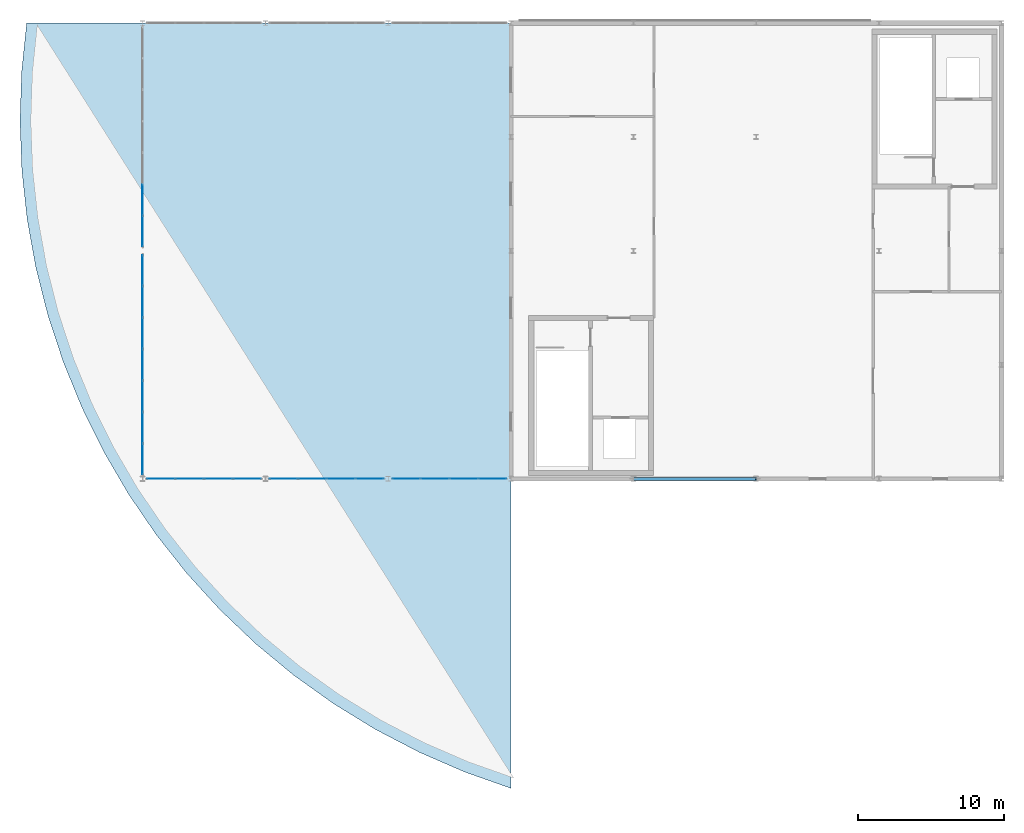
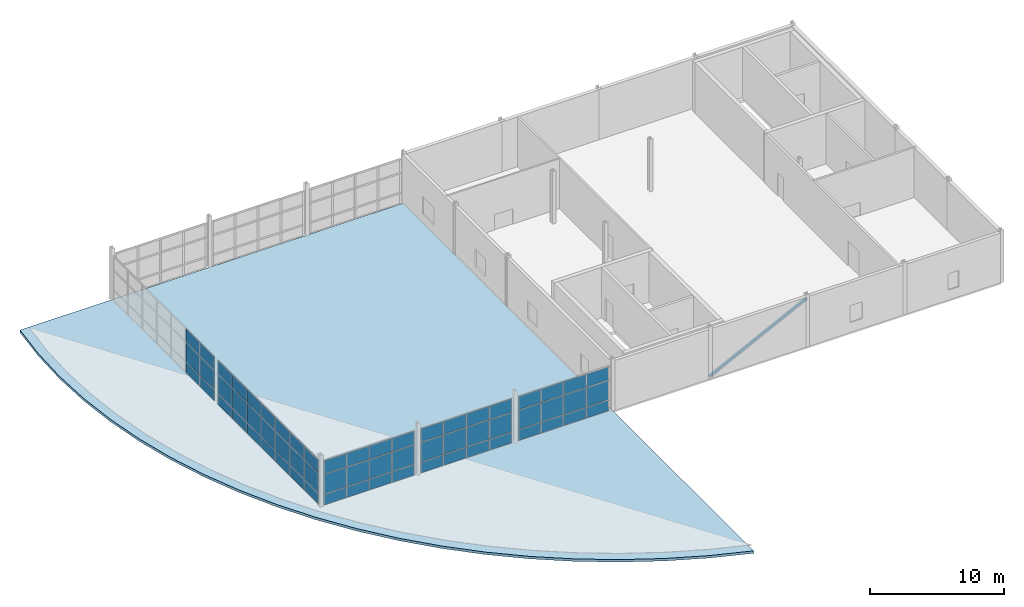
# One storey, part 10 of 14: 63 plates, 1 member, 1 slab, 5 elements without a shape of their own.
"""IFC4 building model written with IfcOpenShell, lengths in metres."""

from ifc_helpers import new_model, si_unit, direction, frame, origin, origin_2d, place, context, subcontext, project, spatial, polyline, rectangle, hollow_rectangle, outline, extrude, material, layer, layer_set, material_profile, profile_set, type_object, element, aggregate, save


model = new_model("IFC4")

# Units and contexts
model_context = context("Model", 3, precision=1e-05, world=origin(), true_north=direction((0.0, 1.0)))
body_context = subcontext(model_context, "Body", "Model", "MODEL_VIEW")
ifc_project = project(units=[si_unit("LENGTHUNIT", "METRE"), si_unit("AREAUNIT", "SQUARE_METRE"), si_unit("VOLUMEUNIT", "CUBIC_METRE"), si_unit("PLANEANGLEUNIT", "RADIAN"), si_unit("MASSUNIT", "GRAM", prefix="KILO")], contexts=[model_context])

# Site, building, storey
site_placement = place(None, origin())
site = spatial("IfcSite", under=ifc_project, at=site_placement, CompositionType="ELEMENT")
building_placement = place(site_placement, origin())
building = spatial("IfcBuilding", under=site, at=building_placement, Name="Selat Folded Stagehouse", CompositionType="ELEMENT")
storey_placement = place(building_placement, frame((0.0, 0.0, 27.60009765625)))
storey = spatial("IfcBuildingStorey", under=building, at=storey_placement, Name="L06", CompositionType="ELEMENT", Elevation=27.60009765625)

# Member
ifc_material_1 = material(Name="Steel S355", Category="steel")
ifc_material_profile = material_profile(ifc_material_1, hollow_rectangle(XDim=0.199951171875, YDim=0.199951171875, WallThickness=0.010009765625, at=origin_2d()), Name="SHS 200x200x10.0")
ifc_profile_set = profile_set([ifc_material_profile], Name="Steel S355")
member_type = type_object("IfcMemberType", Name="MEM-BRACE-SHS200", PredefinedType="BRACE", material=ifc_profile_set)
member_placement = place(storey_placement, frame((42.0, 23.39990234375, 0.14990234375), z_axis=(0.894427191, 0.0, 0.4472135955), x_axis=(0.0, 1.0, 0.0)))
element("IfcMember", 1, at=member_placement, inside=storey, type_object=member_type, Name="L06 vertical frame brace 07", PredefinedType="BRACE", context=body_context, shape_type="SweptSolid", body=[
    extrude(hollow_rectangle(XDim=0.199951171875, YDim=0.199951171875, WallThickness=0.010009765625, at=origin_2d()), origin(), (0.0, 0.0, 1.0), 9.391357421875),
])

# Curtain wall, plates
ifc_material_2 = material(Name="Aluminium 6063-T6", Category="aluminium")
ifc_layer_1 = layer(ifc_material_2, 0.175048828125)
ifc_layer_set_1 = layer_set([ifc_layer_1], Name="Aluminium 6063-T6")
curtain_wall_type = type_object("IfcCurtainWallType", Name="CW-BRG-GLAZ", PredefinedType="NOTDEFINED", material=ifc_layer_set_1)
curtain_wall_1_placement = place(storey_placement, origin())
curtain_wall_1 = element("IfcCurtainWall", 2, at=curtain_wall_1_placement, inside=storey, type_object=curtain_wall_type, Name="L06 curtain wall CW-BRG-23", PredefinedType="NOTDEFINED")
ifc_material_3 = material(Name="Clear laminated double glazing", Category="glass")
ifc_layer_2 = layer(ifc_material_3, 0.028076171875)
ifc_layer_set_2 = layer_set([ifc_layer_2], Name="Clear laminated double glazing")
plate_type = type_object("IfcPlateType", Name="CWP-GLZ-DGU28", PredefinedType="CURTAIN_PANEL", material=ifc_layer_set_2)
plate_1_placement = place(storey_placement, frame((32.347412109375, 23.39990234375, 0.06494140625), z_axis=(0.0, 0.0, 1.0), x_axis=(-1.0, 0.0, 0.0)))
plate_1 = element("IfcPlate", 3, at=plate_1_placement, type_object=plate_type, Name="CW-07 panel 1.1", PredefinedType="CURTAIN_PANEL", context=body_context, shape_type="SweptSolid", body=[
    extrude(rectangle(XDim=1.885009765625, YDim=0.028076171875, at=origin_2d()), origin(), (0.0, 0.0, 1.0), 0.952392578125),
])
plate_2_placement = place(storey_placement, frame((32.347412109375, 23.39990234375, 1.08251953125), z_axis=(0.0, 0.0, 1.0), x_axis=(-1.0, 0.0, 0.0)))
plate_2 = element("IfcPlate", 4, at=plate_2_placement, type_object=plate_type, Name="CW-07 panel 1.2", PredefinedType="CURTAIN_PANEL", context=body_context, shape_type="SweptSolid", body=[
    extrude(rectangle(XDim=1.885009765625, YDim=0.028076171875, at=origin_2d()), origin(), (0.0, 0.0, 1.0), 1.735107421875),
])
plate_3_placement = place(storey_placement, frame((32.347412109375, 23.39990234375, 2.88232421875), z_axis=(0.0, 0.0, 1.0), x_axis=(-1.0, 0.0, 0.0)))
plate_3 = element("IfcPlate", 5, at=plate_3_placement, type_object=plate_type, Name="CW-07 panel 1.3", PredefinedType="CURTAIN_PANEL", context=body_context, shape_type="SweptSolid", body=[
    extrude(rectangle(XDim=1.885009765625, YDim=0.028076171875, at=origin_2d()), origin(), (0.0, 0.0, 1.0), 1.202392578125),
])
plate_4_placement = place(storey_placement, frame((30.387451171875, 23.39990234375, 0.06494140625), z_axis=(0.0, 0.0, 1.0), x_axis=(-1.0, 0.0, 0.0)))
plate_4 = element("IfcPlate", 6, at=plate_4_placement, type_object=plate_type, Name="CW-07 panel 2.1", PredefinedType="CURTAIN_PANEL", context=body_context, shape_type="SweptSolid", body=[
    extrude(rectangle(XDim=1.9150390625, YDim=0.028076171875, at=origin_2d()), origin(), (0.0, 0.0, 1.0), 0.952392578125),
])
plate_5_placement = place(storey_placement, frame((30.387451171875, 23.39990234375, 1.08251953125), z_axis=(0.0, 0.0, 1.0), x_axis=(-1.0, 0.0, 0.0)))
plate_5 = element("IfcPlate", 7, at=plate_5_placement, type_object=plate_type, Name="CW-07 panel 2.2", PredefinedType="CURTAIN_PANEL", context=body_context, shape_type="SweptSolid", body=[
    extrude(rectangle(XDim=1.9150390625, YDim=0.028076171875, at=origin_2d()), origin(), (0.0, 0.0, 1.0), 1.735107421875),
])
plate_6_placement = place(storey_placement, frame((30.387451171875, 23.39990234375, 2.88232421875), z_axis=(0.0, 0.0, 1.0), x_axis=(-1.0, 0.0, 0.0)))
plate_6 = element("IfcPlate", 8, at=plate_6_placement, type_object=plate_type, Name="CW-07 panel 2.3", PredefinedType="CURTAIN_PANEL", context=body_context, shape_type="SweptSolid", body=[
    extrude(rectangle(XDim=1.9150390625, YDim=0.028076171875, at=origin_2d()), origin(), (0.0, 0.0, 1.0), 1.202392578125),
])
plate_7_placement = place(storey_placement, frame((28.41259765625, 23.39990234375, 0.06494140625), z_axis=(0.0, 0.0, 1.0), x_axis=(-1.0, 0.0, 0.0)))
plate_7 = element("IfcPlate", 9, at=plate_7_placement, type_object=plate_type, Name="CW-07 panel 3.1", PredefinedType="CURTAIN_PANEL", context=body_context, shape_type="SweptSolid", body=[
    extrude(rectangle(XDim=1.9150390625, YDim=0.028076171875, at=origin_2d()), origin(), (0.0, 0.0, 1.0), 0.952392578125),
])
plate_8_placement = place(storey_placement, frame((28.41259765625, 23.39990234375, 1.08251953125), z_axis=(0.0, 0.0, 1.0), x_axis=(-1.0, 0.0, 0.0)))
plate_8 = element("IfcPlate", 10, at=plate_8_placement, type_object=plate_type, Name="CW-07 panel 3.2", PredefinedType="CURTAIN_PANEL", context=body_context, shape_type="SweptSolid", body=[
    extrude(rectangle(XDim=1.9150390625, YDim=0.028076171875, at=origin_2d()), origin(), (0.0, 0.0, 1.0), 1.735107421875),
])
plate_9_placement = place(storey_placement, frame((28.41259765625, 23.39990234375, 2.88232421875), z_axis=(0.0, 0.0, 1.0), x_axis=(-1.0, 0.0, 0.0)))
plate_9 = element("IfcPlate", 11, at=plate_9_placement, type_object=plate_type, Name="CW-07 panel 3.3", PredefinedType="CURTAIN_PANEL", context=body_context, shape_type="SweptSolid", body=[
    extrude(rectangle(XDim=1.9150390625, YDim=0.028076171875, at=origin_2d()), origin(), (0.0, 0.0, 1.0), 1.202392578125),
])
plate_10_placement = place(storey_placement, frame((26.452392578125, 23.39990234375, 0.06494140625), z_axis=(0.0, 0.0, 1.0), x_axis=(-1.0, 0.0, 0.0)))
plate_10 = element("IfcPlate", 12, at=plate_10_placement, type_object=plate_type, Name="CW-07 panel 4.1", PredefinedType="CURTAIN_PANEL", context=body_context, shape_type="SweptSolid", body=[
    extrude(rectangle(XDim=1.885009765625, YDim=0.028076171875, at=origin_2d()), origin(), (0.0, 0.0, 1.0), 0.952392578125),
])
plate_11_placement = place(storey_placement, frame((26.452392578125, 23.39990234375, 1.08251953125), z_axis=(0.0, 0.0, 1.0), x_axis=(-1.0, 0.0, 0.0)))
plate_11 = element("IfcPlate", 13, at=plate_11_placement, type_object=plate_type, Name="CW-07 panel 4.2", PredefinedType="CURTAIN_PANEL", context=body_context, shape_type="SweptSolid", body=[
    extrude(rectangle(XDim=1.885009765625, YDim=0.028076171875, at=origin_2d()), origin(), (0.0, 0.0, 1.0), 1.735107421875),
])
plate_12_placement = place(storey_placement, frame((26.452392578125, 23.39990234375, 2.88232421875), z_axis=(0.0, 0.0, 1.0), x_axis=(-1.0, 0.0, 0.0)))
plate_12 = element("IfcPlate", 14, at=plate_12_placement, type_object=plate_type, Name="CW-07 panel 4.3", PredefinedType="CURTAIN_PANEL", context=body_context, shape_type="SweptSolid", body=[
    extrude(rectangle(XDim=1.885009765625, YDim=0.028076171875, at=origin_2d()), origin(), (0.0, 0.0, 1.0), 1.202392578125),
])
aggregate(curtain_wall_1, [plate_1, plate_2, plate_3, plate_4, plate_5, plate_6, plate_7, plate_8, plate_9, plate_10, plate_11, plate_12])

curtain_wall_2_placement = place(storey_placement, origin())
curtain_wall_2 = element("IfcCurtainWall", 15, at=curtain_wall_2_placement, inside=storey, type_object=curtain_wall_type, Name="L06 curtain wall CW-BRG-24", PredefinedType="NOTDEFINED")
plate_13_placement = place(storey_placement, frame((23.947509765625, 23.39990234375, 0.06494140625), z_axis=(0.0, 0.0, 1.0), x_axis=(-1.0, 0.0, 0.0)))
plate_13 = element("IfcPlate", 16, at=plate_13_placement, type_object=plate_type, Name="CW-07 panel 1.1", PredefinedType="CURTAIN_PANEL", context=body_context, shape_type="SweptSolid", body=[
    extrude(rectangle(XDim=1.885009765625, YDim=0.028076171875, at=origin_2d()), origin(), (0.0, 0.0, 1.0), 0.952392578125),
])
plate_14_placement = place(storey_placement, frame((23.947509765625, 23.39990234375, 1.08251953125), z_axis=(0.0, 0.0, 1.0), x_axis=(-1.0, 0.0, 0.0)))
plate_14 = element("IfcPlate", 17, at=plate_14_placement, type_object=plate_type, Name="CW-07 panel 1.2", PredefinedType="CURTAIN_PANEL", context=body_context, shape_type="SweptSolid", body=[
    extrude(rectangle(XDim=1.885009765625, YDim=0.028076171875, at=origin_2d()), origin(), (0.0, 0.0, 1.0), 1.735107421875),
])
plate_15_placement = place(storey_placement, frame((23.947509765625, 23.39990234375, 2.88232421875), z_axis=(0.0, 0.0, 1.0), x_axis=(-1.0, 0.0, 0.0)))
plate_15 = element("IfcPlate", 18, at=plate_15_placement, type_object=plate_type, Name="CW-07 panel 1.3", PredefinedType="CURTAIN_PANEL", context=body_context, shape_type="SweptSolid", body=[
    extrude(rectangle(XDim=1.885009765625, YDim=0.028076171875, at=origin_2d()), origin(), (0.0, 0.0, 1.0), 1.202392578125),
])
plate_16_placement = place(storey_placement, frame((21.987548828125, 23.39990234375, 0.06494140625), z_axis=(0.0, 0.0, 1.0), x_axis=(-1.0, 0.0, 0.0)))
plate_16 = element("IfcPlate", 19, at=plate_16_placement, type_object=plate_type, Name="CW-07 panel 2.1", PredefinedType="CURTAIN_PANEL", context=body_context, shape_type="SweptSolid", body=[
    extrude(rectangle(XDim=1.9150390625, YDim=0.028076171875, at=origin_2d()), origin(), (0.0, 0.0, 1.0), 0.952392578125),
])
plate_17_placement = place(storey_placement, frame((21.987548828125, 23.39990234375, 1.08251953125), z_axis=(0.0, 0.0, 1.0), x_axis=(-1.0, 0.0, 0.0)))
plate_17 = element("IfcPlate", 20, at=plate_17_placement, type_object=plate_type, Name="CW-07 panel 2.2", PredefinedType="CURTAIN_PANEL", context=body_context, shape_type="SweptSolid", body=[
    extrude(rectangle(XDim=1.9150390625, YDim=0.028076171875, at=origin_2d()), origin(), (0.0, 0.0, 1.0), 1.735107421875),
])
plate_18_placement = place(storey_placement, frame((21.987548828125, 23.39990234375, 2.88232421875), z_axis=(0.0, 0.0, 1.0), x_axis=(-1.0, 0.0, 0.0)))
plate_18 = element("IfcPlate", 21, at=plate_18_placement, type_object=plate_type, Name="CW-07 panel 2.3", PredefinedType="CURTAIN_PANEL", context=body_context, shape_type="SweptSolid", body=[
    extrude(rectangle(XDim=1.9150390625, YDim=0.028076171875, at=origin_2d()), origin(), (0.0, 0.0, 1.0), 1.202392578125),
])
plate_19_placement = place(storey_placement, frame((20.012451171875, 23.39990234375, 0.06494140625), z_axis=(0.0, 0.0, 1.0), x_axis=(-1.0, 0.0, 0.0)))
plate_19 = element("IfcPlate", 22, at=plate_19_placement, type_object=plate_type, Name="CW-07 panel 3.1", PredefinedType="CURTAIN_PANEL", context=body_context, shape_type="SweptSolid", body=[
    extrude(rectangle(XDim=1.9150390625, YDim=0.028076171875, at=origin_2d()), origin(), (0.0, 0.0, 1.0), 0.952392578125),
])
plate_20_placement = place(storey_placement, frame((20.012451171875, 23.39990234375, 1.08251953125), z_axis=(0.0, 0.0, 1.0), x_axis=(-1.0, 0.0, 0.0)))
plate_20 = element("IfcPlate", 23, at=plate_20_placement, type_object=plate_type, Name="CW-07 panel 3.2", PredefinedType="CURTAIN_PANEL", context=body_context, shape_type="SweptSolid", body=[
    extrude(rectangle(XDim=1.9150390625, YDim=0.028076171875, at=origin_2d()), origin(), (0.0, 0.0, 1.0), 1.735107421875),
])
plate_21_placement = place(storey_placement, frame((20.012451171875, 23.39990234375, 2.88232421875), z_axis=(0.0, 0.0, 1.0), x_axis=(-1.0, 0.0, 0.0)))
plate_21 = element("IfcPlate", 24, at=plate_21_placement, type_object=plate_type, Name="CW-07 panel 3.3", PredefinedType="CURTAIN_PANEL", context=body_context, shape_type="SweptSolid", body=[
    extrude(rectangle(XDim=1.9150390625, YDim=0.028076171875, at=origin_2d()), origin(), (0.0, 0.0, 1.0), 1.202392578125),
])
plate_22_placement = place(storey_placement, frame((18.052490234375, 23.39990234375, 0.06494140625), z_axis=(0.0, 0.0, 1.0), x_axis=(-1.0, 0.0, 0.0)))
plate_22 = element("IfcPlate", 25, at=plate_22_placement, type_object=plate_type, Name="CW-07 panel 4.1", PredefinedType="CURTAIN_PANEL", context=body_context, shape_type="SweptSolid", body=[
    extrude(rectangle(XDim=1.885009765625, YDim=0.028076171875, at=origin_2d()), origin(), (0.0, 0.0, 1.0), 0.952392578125),
])
plate_23_placement = place(storey_placement, frame((18.052490234375, 23.39990234375, 1.08251953125), z_axis=(0.0, 0.0, 1.0), x_axis=(-1.0, 0.0, 0.0)))
plate_23 = element("IfcPlate", 26, at=plate_23_placement, type_object=plate_type, Name="CW-07 panel 4.2", PredefinedType="CURTAIN_PANEL", context=body_context, shape_type="SweptSolid", body=[
    extrude(rectangle(XDim=1.885009765625, YDim=0.028076171875, at=origin_2d()), origin(), (0.0, 0.0, 1.0), 1.735107421875),
])
plate_24_placement = place(storey_placement, frame((18.052490234375, 23.39990234375, 2.88232421875), z_axis=(0.0, 0.0, 1.0), x_axis=(-1.0, 0.0, 0.0)))
plate_24 = element("IfcPlate", 27, at=plate_24_placement, type_object=plate_type, Name="CW-07 panel 4.3", PredefinedType="CURTAIN_PANEL", context=body_context, shape_type="SweptSolid", body=[
    extrude(rectangle(XDim=1.885009765625, YDim=0.028076171875, at=origin_2d()), origin(), (0.0, 0.0, 1.0), 1.202392578125),
])
aggregate(curtain_wall_2, [plate_13, plate_14, plate_15, plate_16, plate_17, plate_18, plate_19, plate_20, plate_21, plate_22, plate_23, plate_24])

curtain_wall_3_placement = place(storey_placement, origin())
curtain_wall_3 = element("IfcCurtainWall", 28, at=curtain_wall_3_placement, inside=storey, type_object=curtain_wall_type, Name="L06 curtain wall CW-BRG-25", PredefinedType="NOTDEFINED")
plate_25_placement = place(storey_placement, frame((15.547607421875, 23.39990234375, 0.06494140625), z_axis=(0.0, 0.0, 1.0), x_axis=(-1.0, 0.0, 0.0)))
plate_25 = element("IfcPlate", 29, at=plate_25_placement, type_object=plate_type, Name="CW-07 panel 1.1", PredefinedType="CURTAIN_PANEL", context=body_context, shape_type="SweptSolid", body=[
    extrude(rectangle(XDim=1.885009765625, YDim=0.028076171875, at=origin_2d()), origin(), (0.0, 0.0, 1.0), 0.952392578125),
])
plate_26_placement = place(storey_placement, frame((15.547607421875, 23.39990234375, 1.08251953125), z_axis=(0.0, 0.0, 1.0), x_axis=(-1.0, 0.0, 0.0)))
plate_26 = element("IfcPlate", 30, at=plate_26_placement, type_object=plate_type, Name="CW-07 panel 1.2", PredefinedType="CURTAIN_PANEL", context=body_context, shape_type="SweptSolid", body=[
    extrude(rectangle(XDim=1.885009765625, YDim=0.028076171875, at=origin_2d()), origin(), (0.0, 0.0, 1.0), 1.735107421875),
])
plate_27_placement = place(storey_placement, frame((15.547607421875, 23.39990234375, 2.88232421875), z_axis=(0.0, 0.0, 1.0), x_axis=(-1.0, 0.0, 0.0)))
plate_27 = element("IfcPlate", 31, at=plate_27_placement, type_object=plate_type, Name="CW-07 panel 1.3", PredefinedType="CURTAIN_PANEL", context=body_context, shape_type="SweptSolid", body=[
    extrude(rectangle(XDim=1.885009765625, YDim=0.028076171875, at=origin_2d()), origin(), (0.0, 0.0, 1.0), 1.202392578125),
])
plate_28_placement = place(storey_placement, frame((13.58740234375, 23.39990234375, 0.06494140625), z_axis=(0.0, 0.0, 1.0), x_axis=(-1.0, 0.0, 0.0)))
plate_28 = element("IfcPlate", 32, at=plate_28_placement, type_object=plate_type, Name="CW-07 panel 2.1", PredefinedType="CURTAIN_PANEL", context=body_context, shape_type="SweptSolid", body=[
    extrude(rectangle(XDim=1.9150390625, YDim=0.028076171875, at=origin_2d()), origin(), (0.0, 0.0, 1.0), 0.952392578125),
])
plate_29_placement = place(storey_placement, frame((13.58740234375, 23.39990234375, 1.08251953125), z_axis=(0.0, 0.0, 1.0), x_axis=(-1.0, 0.0, 0.0)))
plate_29 = element("IfcPlate", 33, at=plate_29_placement, type_object=plate_type, Name="CW-07 panel 2.2", PredefinedType="CURTAIN_PANEL", context=body_context, shape_type="SweptSolid", body=[
    extrude(rectangle(XDim=1.9150390625, YDim=0.028076171875, at=origin_2d()), origin(), (0.0, 0.0, 1.0), 1.735107421875),
])
plate_30_placement = place(storey_placement, frame((13.58740234375, 23.39990234375, 2.88232421875), z_axis=(0.0, 0.0, 1.0), x_axis=(-1.0, 0.0, 0.0)))
plate_30 = element("IfcPlate", 34, at=plate_30_placement, type_object=plate_type, Name="CW-07 panel 2.3", PredefinedType="CURTAIN_PANEL", context=body_context, shape_type="SweptSolid", body=[
    extrude(rectangle(XDim=1.9150390625, YDim=0.028076171875, at=origin_2d()), origin(), (0.0, 0.0, 1.0), 1.202392578125),
])
plate_31_placement = place(storey_placement, frame((11.612548828125, 23.39990234375, 0.06494140625), z_axis=(0.0, 0.0, 1.0), x_axis=(-1.0, 0.0, 0.0)))
plate_31 = element("IfcPlate", 35, at=plate_31_placement, type_object=plate_type, Name="CW-07 panel 3.1", PredefinedType="CURTAIN_PANEL", context=body_context, shape_type="SweptSolid", body=[
    extrude(rectangle(XDim=1.9150390625, YDim=0.028076171875, at=origin_2d()), origin(), (0.0, 0.0, 1.0), 0.952392578125),
])
plate_32_placement = place(storey_placement, frame((11.612548828125, 23.39990234375, 1.08251953125), z_axis=(0.0, 0.0, 1.0), x_axis=(-1.0, 0.0, 0.0)))
plate_32 = element("IfcPlate", 36, at=plate_32_placement, type_object=plate_type, Name="CW-07 panel 3.2", PredefinedType="CURTAIN_PANEL", context=body_context, shape_type="SweptSolid", body=[
    extrude(rectangle(XDim=1.9150390625, YDim=0.028076171875, at=origin_2d()), origin(), (0.0, 0.0, 1.0), 1.735107421875),
])
plate_33_placement = place(storey_placement, frame((11.612548828125, 23.39990234375, 2.88232421875), z_axis=(0.0, 0.0, 1.0), x_axis=(-1.0, 0.0, 0.0)))
plate_33 = element("IfcPlate", 37, at=plate_33_placement, type_object=plate_type, Name="CW-07 panel 3.3", PredefinedType="CURTAIN_PANEL", context=body_context, shape_type="SweptSolid", body=[
    extrude(rectangle(XDim=1.9150390625, YDim=0.028076171875, at=origin_2d()), origin(), (0.0, 0.0, 1.0), 1.202392578125),
])
plate_34_placement = place(storey_placement, frame((9.652587890625, 23.39990234375, 0.06494140625), z_axis=(0.0, 0.0, 1.0), x_axis=(-1.0, 0.0, 0.0)))
plate_34 = element("IfcPlate", 38, at=plate_34_placement, type_object=plate_type, Name="CW-07 panel 4.1", PredefinedType="CURTAIN_PANEL", context=body_context, shape_type="SweptSolid", body=[
    extrude(rectangle(XDim=1.885009765625, YDim=0.028076171875, at=origin_2d()), origin(), (0.0, 0.0, 1.0), 0.952392578125),
])
plate_35_placement = place(storey_placement, frame((9.652587890625, 23.39990234375, 1.08251953125), z_axis=(0.0, 0.0, 1.0), x_axis=(-1.0, 0.0, 0.0)))
plate_35 = element("IfcPlate", 39, at=plate_35_placement, type_object=plate_type, Name="CW-07 panel 4.2", PredefinedType="CURTAIN_PANEL", context=body_context, shape_type="SweptSolid", body=[
    extrude(rectangle(XDim=1.885009765625, YDim=0.028076171875, at=origin_2d()), origin(), (0.0, 0.0, 1.0), 1.735107421875),
])
plate_36_placement = place(storey_placement, frame((9.652587890625, 23.39990234375, 2.88232421875), z_axis=(0.0, 0.0, 1.0), x_axis=(-1.0, 0.0, 0.0)))
plate_36 = element("IfcPlate", 40, at=plate_36_placement, type_object=plate_type, Name="CW-07 panel 4.3", PredefinedType="CURTAIN_PANEL", context=body_context, shape_type="SweptSolid", body=[
    extrude(rectangle(XDim=1.885009765625, YDim=0.028076171875, at=origin_2d()), origin(), (0.0, 0.0, 1.0), 1.202392578125),
])
aggregate(curtain_wall_3, [plate_25, plate_26, plate_27, plate_28, plate_29, plate_30, plate_31, plate_32, plate_33, plate_34, plate_35, plate_36])

curtain_wall_4_placement = place(storey_placement, origin())
curtain_wall_4 = element("IfcCurtainWall", 41, at=curtain_wall_4_placement, inside=storey, type_object=curtain_wall_type, Name="L06 curtain wall CW-BRG-26", PredefinedType="NOTDEFINED")
plate_37_placement = place(storey_placement, frame((8.39990234375, 24.74365234375, 0.06494140625), z_axis=(0.0, 0.0, 1.0), x_axis=(0.0, 1.0, 0.0)))
plate_37 = element("IfcPlate", 42, at=plate_37_placement, type_object=plate_type, Name="CW-07 panel 1.1", PredefinedType="CURTAIN_PANEL", context=body_context, shape_type="SweptSolid", body=[
    extrude(rectangle(XDim=2.067138671875, YDim=0.028076171875, at=origin_2d()), origin(), (0.0, 0.0, 1.0), 0.952392578125),
])
plate_38_placement = place(storey_placement, frame((8.39990234375, 24.74365234375, 1.08251953125), z_axis=(0.0, 0.0, 1.0), x_axis=(0.0, 1.0, 0.0)))
plate_38 = element("IfcPlate", 43, at=plate_38_placement, type_object=plate_type, Name="CW-07 panel 1.2", PredefinedType="CURTAIN_PANEL", context=body_context, shape_type="SweptSolid", body=[
    extrude(rectangle(XDim=2.067138671875, YDim=0.028076171875, at=origin_2d()), origin(), (0.0, 0.0, 1.0), 1.735107421875),
])
plate_39_placement = place(storey_placement, frame((8.39990234375, 24.74365234375, 2.88232421875), z_axis=(0.0, 0.0, 1.0), x_axis=(0.0, 1.0, 0.0)))
plate_39 = element("IfcPlate", 44, at=plate_39_placement, type_object=plate_type, Name="CW-07 panel 1.3", PredefinedType="CURTAIN_PANEL", context=body_context, shape_type="SweptSolid", body=[
    extrude(rectangle(XDim=2.067138671875, YDim=0.028076171875, at=origin_2d()), origin(), (0.0, 0.0, 1.0), 1.202392578125),
])
plate_40_placement = place(storey_placement, frame((8.39990234375, 26.8857421875, 0.06494140625), z_axis=(0.0, 0.0, 1.0), x_axis=(0.0, 1.0, 0.0)))
plate_40 = element("IfcPlate", 45, at=plate_40_placement, type_object=plate_type, Name="CW-07 panel 2.1", PredefinedType="CURTAIN_PANEL", context=body_context, shape_type="SweptSolid", body=[
    extrude(rectangle(XDim=2.09716796875, YDim=0.028076171875, at=origin_2d()), origin(), (0.0, 0.0, 1.0), 0.952392578125),
])
plate_41_placement = place(storey_placement, frame((8.39990234375, 26.8857421875, 1.08251953125), z_axis=(0.0, 0.0, 1.0), x_axis=(0.0, 1.0, 0.0)))
plate_41 = element("IfcPlate", 46, at=plate_41_placement, type_object=plate_type, Name="CW-07 panel 2.2", PredefinedType="CURTAIN_PANEL", context=body_context, shape_type="SweptSolid", body=[
    extrude(rectangle(XDim=2.09716796875, YDim=0.028076171875, at=origin_2d()), origin(), (0.0, 0.0, 1.0), 1.735107421875),
])
plate_42_placement = place(storey_placement, frame((8.39990234375, 26.8857421875, 2.88232421875), z_axis=(0.0, 0.0, 1.0), x_axis=(0.0, 1.0, 0.0)))
plate_42 = element("IfcPlate", 47, at=plate_42_placement, type_object=plate_type, Name="CW-07 panel 2.3", PredefinedType="CURTAIN_PANEL", context=body_context, shape_type="SweptSolid", body=[
    extrude(rectangle(XDim=2.09716796875, YDim=0.028076171875, at=origin_2d()), origin(), (0.0, 0.0, 1.0), 1.202392578125),
])
plate_43_placement = place(storey_placement, frame((8.39990234375, 29.04296875, 0.06494140625), z_axis=(0.0, 0.0, 1.0), x_axis=(0.0, 1.0, 0.0)))
plate_43 = element("IfcPlate", 48, at=plate_43_placement, type_object=plate_type, Name="CW-07 panel 3.1", PredefinedType="CURTAIN_PANEL", context=body_context, shape_type="SweptSolid", body=[
    extrude(rectangle(XDim=2.09716796875, YDim=0.028076171875, at=origin_2d()), origin(), (0.0, 0.0, 1.0), 0.952392578125),
])
plate_44_placement = place(storey_placement, frame((8.39990234375, 29.04296875, 1.08251953125), z_axis=(0.0, 0.0, 1.0), x_axis=(0.0, 1.0, 0.0)))
plate_44 = element("IfcPlate", 49, at=plate_44_placement, type_object=plate_type, Name="CW-07 panel 3.2", PredefinedType="CURTAIN_PANEL", context=body_context, shape_type="SweptSolid", body=[
    extrude(rectangle(XDim=2.09716796875, YDim=0.028076171875, at=origin_2d()), origin(), (0.0, 0.0, 1.0), 1.735107421875),
])
plate_45_placement = place(storey_placement, frame((8.39990234375, 29.04296875, 2.88232421875), z_axis=(0.0, 0.0, 1.0), x_axis=(0.0, 1.0, 0.0)))
plate_45 = element("IfcPlate", 50, at=plate_45_placement, type_object=plate_type, Name="CW-07 panel 3.3", PredefinedType="CURTAIN_PANEL", context=body_context, shape_type="SweptSolid", body=[
    extrude(rectangle(XDim=2.09716796875, YDim=0.028076171875, at=origin_2d()), origin(), (0.0, 0.0, 1.0), 1.202392578125),
])
plate_46_placement = place(storey_placement, frame((8.39990234375, 31.199951171875, 0.06494140625), z_axis=(0.0, 0.0, 1.0), x_axis=(0.0, 1.0, 0.0)))
plate_46 = element("IfcPlate", 51, at=plate_46_placement, type_object=plate_type, Name="CW-07 panel 4.1", PredefinedType="CURTAIN_PANEL", context=body_context, shape_type="SweptSolid", body=[
    extrude(rectangle(XDim=2.09716796875, YDim=0.028076171875, at=origin_2d()), origin(), (0.0, 0.0, 1.0), 0.952392578125),
])
plate_47_placement = place(storey_placement, frame((8.39990234375, 31.199951171875, 1.08251953125), z_axis=(0.0, 0.0, 1.0), x_axis=(0.0, 1.0, 0.0)))
plate_47 = element("IfcPlate", 52, at=plate_47_placement, type_object=plate_type, Name="CW-07 panel 4.2", PredefinedType="CURTAIN_PANEL", context=body_context, shape_type="SweptSolid", body=[
    extrude(rectangle(XDim=2.09716796875, YDim=0.028076171875, at=origin_2d()), origin(), (0.0, 0.0, 1.0), 1.735107421875),
])
plate_48_placement = place(storey_placement, frame((8.39990234375, 31.199951171875, 2.88232421875), z_axis=(0.0, 0.0, 1.0), x_axis=(0.0, 1.0, 0.0)))
plate_48 = element("IfcPlate", 53, at=plate_48_placement, type_object=plate_type, Name="CW-07 panel 4.3", PredefinedType="CURTAIN_PANEL", context=body_context, shape_type="SweptSolid", body=[
    extrude(rectangle(XDim=2.09716796875, YDim=0.028076171875, at=origin_2d()), origin(), (0.0, 0.0, 1.0), 1.202392578125),
])
plate_49_placement = place(storey_placement, frame((8.39990234375, 33.357177734375, 0.06494140625), z_axis=(0.0, 0.0, 1.0), x_axis=(0.0, 1.0, 0.0)))
plate_49 = element("IfcPlate", 54, at=plate_49_placement, type_object=plate_type, Name="CW-07 panel 5.1", PredefinedType="CURTAIN_PANEL", context=body_context, shape_type="SweptSolid", body=[
    extrude(rectangle(XDim=2.09716796875, YDim=0.028076171875, at=origin_2d()), origin(), (0.0, 0.0, 1.0), 0.952392578125),
])
plate_50_placement = place(storey_placement, frame((8.39990234375, 33.357177734375, 1.08251953125), z_axis=(0.0, 0.0, 1.0), x_axis=(0.0, 1.0, 0.0)))
plate_50 = element("IfcPlate", 55, at=plate_50_placement, type_object=plate_type, Name="CW-07 panel 5.2", PredefinedType="CURTAIN_PANEL", context=body_context, shape_type="SweptSolid", body=[
    extrude(rectangle(XDim=2.09716796875, YDim=0.028076171875, at=origin_2d()), origin(), (0.0, 0.0, 1.0), 1.735107421875),
])
plate_51_placement = place(storey_placement, frame((8.39990234375, 33.357177734375, 2.88232421875), z_axis=(0.0, 0.0, 1.0), x_axis=(0.0, 1.0, 0.0)))
plate_51 = element("IfcPlate", 56, at=plate_51_placement, type_object=plate_type, Name="CW-07 panel 5.3", PredefinedType="CURTAIN_PANEL", context=body_context, shape_type="SweptSolid", body=[
    extrude(rectangle(XDim=2.09716796875, YDim=0.028076171875, at=origin_2d()), origin(), (0.0, 0.0, 1.0), 1.202392578125),
])
plate_52_placement = place(storey_placement, frame((8.39990234375, 35.514404296875, 0.06494140625), z_axis=(0.0, 0.0, 1.0), x_axis=(0.0, 1.0, 0.0)))
plate_52 = element("IfcPlate", 57, at=plate_52_placement, type_object=plate_type, Name="CW-07 panel 6.1", PredefinedType="CURTAIN_PANEL", context=body_context, shape_type="SweptSolid", body=[
    extrude(rectangle(XDim=2.09716796875, YDim=0.028076171875, at=origin_2d()), origin(), (0.0, 0.0, 1.0), 0.952392578125),
])
plate_53_placement = place(storey_placement, frame((8.39990234375, 35.514404296875, 1.08251953125), z_axis=(0.0, 0.0, 1.0), x_axis=(0.0, 1.0, 0.0)))
plate_53 = element("IfcPlate", 58, at=plate_53_placement, type_object=plate_type, Name="CW-07 panel 6.2", PredefinedType="CURTAIN_PANEL", context=body_context, shape_type="SweptSolid", body=[
    extrude(rectangle(XDim=2.09716796875, YDim=0.028076171875, at=origin_2d()), origin(), (0.0, 0.0, 1.0), 1.735107421875),
])
plate_54_placement = place(storey_placement, frame((8.39990234375, 35.514404296875, 2.88232421875), z_axis=(0.0, 0.0, 1.0), x_axis=(0.0, 1.0, 0.0)))
plate_54 = element("IfcPlate", 59, at=plate_54_placement, type_object=plate_type, Name="CW-07 panel 6.3", PredefinedType="CURTAIN_PANEL", context=body_context, shape_type="SweptSolid", body=[
    extrude(rectangle(XDim=2.09716796875, YDim=0.028076171875, at=origin_2d()), origin(), (0.0, 0.0, 1.0), 1.202392578125),
])
plate_55_placement = place(storey_placement, frame((8.39990234375, 37.656494140625, 0.06494140625), z_axis=(0.0, 0.0, 1.0), x_axis=(0.0, 1.0, 0.0)))
plate_55 = element("IfcPlate", 60, at=plate_55_placement, type_object=plate_type, Name="CW-07 panel 7.1", PredefinedType="CURTAIN_PANEL", context=body_context, shape_type="SweptSolid", body=[
    extrude(rectangle(XDim=2.067138671875, YDim=0.028076171875, at=origin_2d()), origin(), (0.0, 0.0, 1.0), 0.952392578125),
])
plate_56_placement = place(storey_placement, frame((8.39990234375, 37.656494140625, 1.08251953125), z_axis=(0.0, 0.0, 1.0), x_axis=(0.0, 1.0, 0.0)))
plate_56 = element("IfcPlate", 61, at=plate_56_placement, type_object=plate_type, Name="CW-07 panel 7.2", PredefinedType="CURTAIN_PANEL", context=body_context, shape_type="SweptSolid", body=[
    extrude(rectangle(XDim=2.067138671875, YDim=0.028076171875, at=origin_2d()), origin(), (0.0, 0.0, 1.0), 1.735107421875),
])
plate_57_placement = place(storey_placement, frame((8.39990234375, 37.656494140625, 2.88232421875), z_axis=(0.0, 0.0, 1.0), x_axis=(0.0, 1.0, 0.0)))
plate_57 = element("IfcPlate", 62, at=plate_57_placement, type_object=plate_type, Name="CW-07 panel 7.3", PredefinedType="CURTAIN_PANEL", context=body_context, shape_type="SweptSolid", body=[
    extrude(rectangle(XDim=2.067138671875, YDim=0.028076171875, at=origin_2d()), origin(), (0.0, 0.0, 1.0), 1.202392578125),
])
aggregate(curtain_wall_4, [plate_37, plate_38, plate_39, plate_40, plate_41, plate_42, plate_43, plate_44, plate_45, plate_46, plate_47, plate_48, plate_49, plate_50, plate_51, plate_52, plate_53, plate_54, plate_55, plate_56, plate_57])

curtain_wall_5_placement = place(storey_placement, origin())
curtain_wall_5 = element("IfcCurtainWall", 63, at=curtain_wall_5_placement, inside=storey, type_object=curtain_wall_type, Name="L06 curtain wall CW-BRG-27", PredefinedType="NOTDEFINED")
plate_58_placement = place(storey_placement, frame((8.39990234375, 40.343505859375, 0.06494140625), z_axis=(0.0, 0.0, 1.0), x_axis=(0.0, 1.0, 0.0)))
plate_58 = element("IfcPlate", 64, at=plate_58_placement, type_object=plate_type, Name="CW-07 panel 1.1", PredefinedType="CURTAIN_PANEL", context=body_context, shape_type="SweptSolid", body=[
    extrude(rectangle(XDim=2.067138671875, YDim=0.028076171875, at=origin_2d()), origin(), (0.0, 0.0, 1.0), 0.952392578125),
])
plate_59_placement = place(storey_placement, frame((8.39990234375, 40.343505859375, 1.08251953125), z_axis=(0.0, 0.0, 1.0), x_axis=(0.0, 1.0, 0.0)))
plate_59 = element("IfcPlate", 65, at=plate_59_placement, type_object=plate_type, Name="CW-07 panel 1.2", PredefinedType="CURTAIN_PANEL", context=body_context, shape_type="SweptSolid", body=[
    extrude(rectangle(XDim=2.067138671875, YDim=0.028076171875, at=origin_2d()), origin(), (0.0, 0.0, 1.0), 1.735107421875),
])
plate_60_placement = place(storey_placement, frame((8.39990234375, 40.343505859375, 2.88232421875), z_axis=(0.0, 0.0, 1.0), x_axis=(0.0, 1.0, 0.0)))
plate_60 = element("IfcPlate", 66, at=plate_60_placement, type_object=plate_type, Name="CW-07 panel 1.3", PredefinedType="CURTAIN_PANEL", context=body_context, shape_type="SweptSolid", body=[
    extrude(rectangle(XDim=2.067138671875, YDim=0.028076171875, at=origin_2d()), origin(), (0.0, 0.0, 1.0), 1.202392578125),
])
plate_61_placement = place(storey_placement, frame((8.39990234375, 42.485595703125, 0.06494140625), z_axis=(0.0, 0.0, 1.0), x_axis=(0.0, 1.0, 0.0)))
plate_61 = element("IfcPlate", 67, at=plate_61_placement, type_object=plate_type, Name="CW-07 panel 2.1", PredefinedType="CURTAIN_PANEL", context=body_context, shape_type="SweptSolid", body=[
    extrude(rectangle(XDim=2.09716796875, YDim=0.028076171875, at=origin_2d()), origin(), (0.0, 0.0, 1.0), 0.952392578125),
])
plate_62_placement = place(storey_placement, frame((8.39990234375, 42.485595703125, 1.08251953125), z_axis=(0.0, 0.0, 1.0), x_axis=(0.0, 1.0, 0.0)))
plate_62 = element("IfcPlate", 68, at=plate_62_placement, type_object=plate_type, Name="CW-07 panel 2.2", PredefinedType="CURTAIN_PANEL", context=body_context, shape_type="SweptSolid", body=[
    extrude(rectangle(XDim=2.09716796875, YDim=0.028076171875, at=origin_2d()), origin(), (0.0, 0.0, 1.0), 1.735107421875),
])
plate_63_placement = place(storey_placement, frame((8.39990234375, 42.485595703125, 2.88232421875), z_axis=(0.0, 0.0, 1.0), x_axis=(0.0, 1.0, 0.0)))
plate_63 = element("IfcPlate", 69, at=plate_63_placement, type_object=plate_type, Name="CW-07 panel 2.3", PredefinedType="CURTAIN_PANEL", context=body_context, shape_type="SweptSolid", body=[
    extrude(rectangle(XDim=2.09716796875, YDim=0.028076171875, at=origin_2d()), origin(), (0.0, 0.0, 1.0), 1.202392578125),
])
aggregate(curtain_wall_5, [plate_58, plate_59, plate_60, plate_61, plate_62, plate_63])

# Slab
ifc_material_4 = material(Name="Concrete C40/50", Category="concrete")
ifc_layer_3 = layer(ifc_material_4, 0.22509765625)
ifc_layer_set_3 = layer_set([ifc_layer_3], Name="Concrete C40/50")
slab_type = type_object("IfcSlabType", Name="SLAB-ROOF-225", PredefinedType="ROOF", material=ifc_layer_set_3)
slab_placement = place(storey_placement, frame((0.0, 0.0, -0.22509765625)))
element("IfcSlab", 70, at=slab_placement, inside=storey, type_object=slab_type, Name="L06 V1 roof slab RF-L06-V1-RIM", PredefinedType="ROOF", context=body_context, shape_type="SweptSolid", body=[
    extrude(outline(polyline([(0.455810546875, 54.60009765625), (0.110107421875, 51.248779296875), (0.0, 47.881591796875), (0.126708984375, 44.514892578125), (0.489013671875, 41.16552734375), (1.08544921875, 37.849609375), (1.9130859375, 34.583984375), (2.967529296875, 31.38427734375), (4.243896484375, 28.266357421875), (5.736083984375, 25.24560546875), (7.436279296875, 22.337158203125), (9.336181640625, 19.55517578125), (11.4267578125, 16.9130859375), (13.697509765625, 14.42431640625), (16.136962890625, 12.100830078125), (18.733642578125, 9.954345703125), (21.474365234375, 7.9951171875), (24.345703125, 6.23291015625), (27.333740234375, 4.6767578125), (30.423583984375, 3.333740234375), (33.60009765625, 2.2109375), (33.60009765625, 54.60009765625), (0.455810546875, 54.60009765625)])), origin(), (0.0, 0.0, 1.0), 0.22509765625),
])

save(model, "model.ifc")
